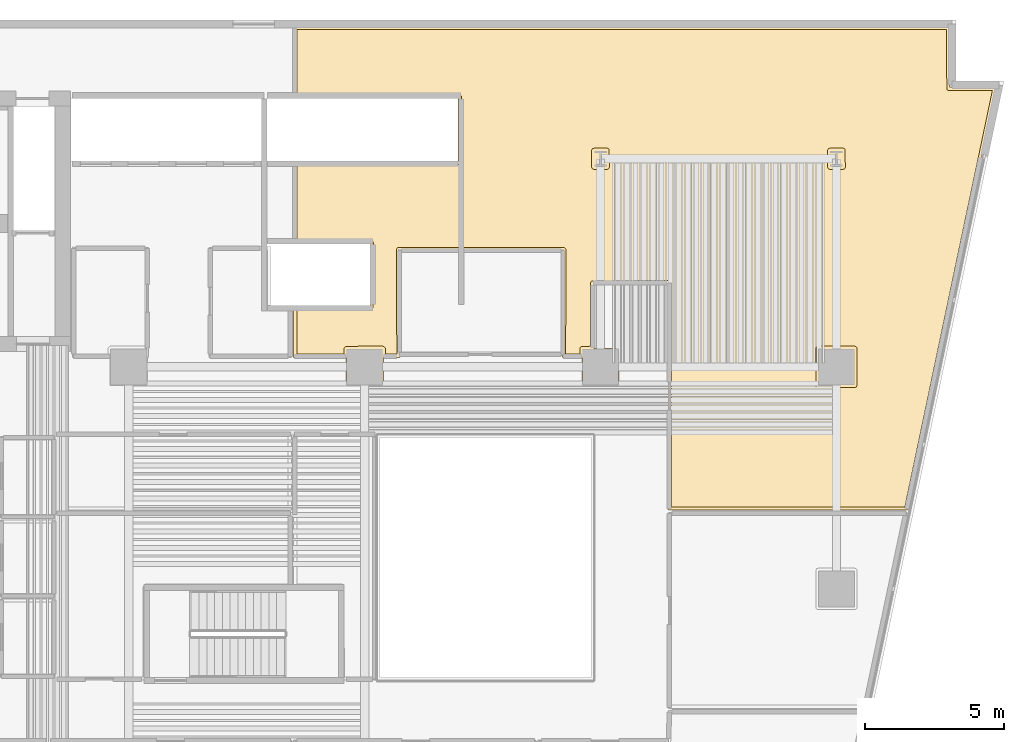
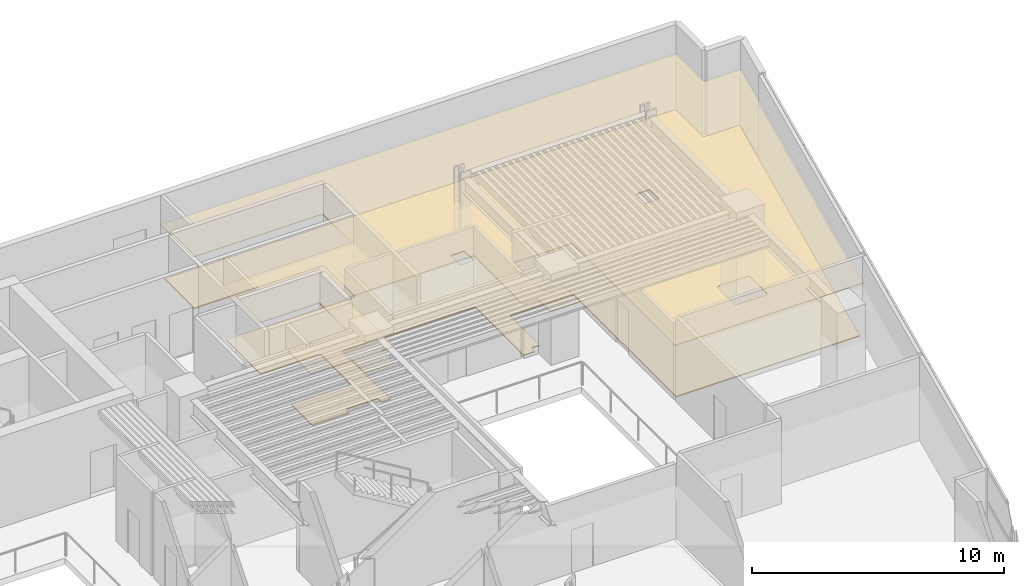
# One storey, part 11 of 11: 2 coverings.
"""IFC4 building model written with IfcOpenShell, lengths in metres."""

import ifcopenshell
import ifcopenshell.guid

model = None  # the IFC model being written
_history = None  # IfcOwnerHistory: only IFC2X3 demands one
_inside = {}  # id of a spatial element -> (the spatial element, [elements in it])
_under = {}  # id of a project, library or spatial element -> (it, [spatial elements below it])
_declared = {}  # id of a project -> (the project, [libraries it declares])
_typed = {}  # id of a type object -> (the type object, [elements of that type])
_made_of = {}  # id of a material, layer set ... -> (it, [elements and type objects made of it])


def new_model(schema):
    """Start an empty IFC model of exactly this schema.

    Asked for "IFC4X3", IfcOpenShell would pick the latest addendum, in which some entities
    have other attributes; the version numbers below select the first issue.
    IFC2X3 requires an IfcOwnerHistory on every rooted entity: one is made here for all.
    """
    global model, _history
    if schema == "IFC4X3":
        model = ifcopenshell.file(schema_version=(4, 3, 0, 0))
    else:
        model = ifcopenshell.file(schema=schema)
    _inside.clear()
    _under.clear()
    _declared.clear()
    _typed.clear()
    _made_of.clear()
    _history = None
    if model.schema == "IFC2X3":
        org = make("IfcOrganization", Name="unknown")
        user = make(
            "IfcPersonAndOrganization",
            ThePerson=make("IfcPerson", FamilyName="unknown"),
            TheOrganization=org,
        )
        app = make(
            "IfcApplication",
            ApplicationDeveloper=org,
            Version="unknown",
            ApplicationFullName="unknown",
            ApplicationIdentifier="unknown",
        )
        _history = make(
            "IfcOwnerHistory",
            OwningUser=user,
            OwningApplication=app,
            ChangeAction="ADDED",
            CreationDate=0,
        )
    return model


def make(cls, **values):
    """One entity of the class cls with the attributes given. An attribute that is None is left unset."""
    return model.create_entity(
        cls, **{name: value for name, value in values.items() if value is not None}
    )


def rooted(cls, **values):
    """An entity with a GlobalId (a new one), such as an element, a storey or a relation."""
    return make(cls, GlobalId=ifcopenshell.guid.new(), OwnerHistory=_history, **values)


def si_unit(unit_type, name, prefix=None):
    """IfcSIUnit, for example si_unit("LENGTHUNIT", "METRE", prefix="MILLI")."""
    return make("IfcSIUnit", UnitType=unit_type, Prefix=prefix, Name=name)


def assignment(units):
    """IfcUnitAssignment: the units of a project."""
    return None if units is None else make("IfcUnitAssignment", Units=units)


def point(xyz):
    """IfcCartesianPoint."""
    return None if xyz is None else make("IfcCartesianPoint", Coordinates=xyz)


def direction(xyz):
    """IfcDirection."""
    return None if xyz is None else make("IfcDirection", DirectionRatios=xyz)


def frame(location, z_axis=None, x_axis=None):
    """IfcAxis2Placement3D, a coordinate frame: its origin and axes. An axis left out is left unset."""
    return make(
        "IfcAxis2Placement3D",
        Location=point(location),
        Axis=direction(z_axis),
        RefDirection=direction(x_axis),
    )


def origin():
    """The frame at (0, 0, 0) with its axes left unset."""
    return frame((0.0, 0.0, 0.0))


def place(relative_to, where):
    """IfcLocalPlacement: puts the frame where relative to a parent placement (None: the world)."""
    return make(
        "IfcLocalPlacement", PlacementRelTo=relative_to, RelativePlacement=where
    )


def context(
    kind, dimensions, precision=None, world=None, true_north=None, identifier=None
):
    """IfcGeometricRepresentationContext, for example the 3D "Model" context."""
    return make(
        "IfcGeometricRepresentationContext",
        ContextIdentifier=identifier,
        ContextType=kind,
        CoordinateSpaceDimension=dimensions,
        Precision=precision,
        WorldCoordinateSystem=world,
        TrueNorth=true_north,
    )


def subcontext(parent, identifier, kind, view, scale=None):
    """IfcGeometricRepresentationSubContext, for example "Body" below "Model"."""
    return make(
        "IfcGeometricRepresentationSubContext",
        ContextIdentifier=identifier,
        ContextType=kind,
        ParentContext=parent,
        TargetScale=scale,
        TargetView=view,
    )


def project(units=None, contexts=None):
    """IfcProject with its units and contexts."""
    return rooted(
        "IfcProject",
        Name="project",
        RepresentationContexts=contexts,
        UnitsInContext=assignment(units),
    )


def spatial(cls, under=None, at=None, **own):
    """A site, building, storey or space (cls), placed at a placement, below another one or the project."""
    s = rooted(cls, ObjectPlacement=at, **own)
    if under is not None:
        _under.setdefault(under.id(), (under, []))[1].append(s)
    return s


def polyline(points):
    """IfcPolyline through the points."""
    return make("IfcPolyline", Points=[point(p) for p in points])


def outline(outer, holes=None, kind="AREA"):
    """IfcArbitraryClosedProfileDef: a profile drawn as a closed curve; with holes, ...WithVoids."""
    if holes is None:
        return make("IfcArbitraryClosedProfileDef", ProfileType=kind, OuterCurve=outer)
    return make(
        "IfcArbitraryProfileDefWithVoids",
        ProfileType=kind,
        OuterCurve=outer,
        InnerCurves=holes,
    )


def extrude(swept, where, along, depth):
    """IfcExtrudedAreaSolid: the profile swept, set in the frame where, extruded along a direction by depth."""
    return make(
        "IfcExtrudedAreaSolid",
        SweptArea=swept,
        Position=where,
        ExtrudedDirection=direction(along),
        Depth=depth,
    )


def shape(context_of_items, identifier, shape_type, items):
    """IfcShapeRepresentation: the items that make up one representation, for example the "Body"."""
    return make(
        "IfcShapeRepresentation",
        ContextOfItems=context_of_items,
        RepresentationIdentifier=identifier,
        RepresentationType=shape_type,
        Items=items,
    )


def material(Name=None, Category=None):
    """IfcMaterial."""
    return make("IfcMaterial", Name=Name, Category=Category)


def layer(
    of_material, thickness, ventilated=None, Name=None, Category=None, Priority=None
):
    """IfcMaterialLayer: one layer of a wall or slab, of a material (None: an air gap)."""
    return make(
        "IfcMaterialLayer",
        Material=of_material,
        LayerThickness=thickness,
        IsVentilated=ventilated,
        Name=Name,
        Category=Category,
        Priority=Priority,
    )


def layer_set(layers, Name=None):
    """IfcMaterialLayerSet."""
    return make("IfcMaterialLayerSet", MaterialLayers=layers, LayerSetName=Name)


def made_of(thing, what):
    """Note that an element or type object is made of a material, layer set ...; save() writes the relation."""
    if what is not None:
        _made_of.setdefault(what.id(), (what, []))[1].append(thing)
    return thing


def type_object(cls, material=None, **own):
    """A type object (cls), such as IfcWallType, which elements share."""
    return made_of(rooted(cls, **own), material)


def element(
    cls,
    number,
    at=None,
    inside=None,
    cuts=None,
    type_object=None,
    material=None,
    context=None,
    identifier="Body",
    shape_type=None,
    held_by="IfcProductDefinitionShape",
    body=None,
    shapes=None,
    **own,
):
    """One element of the class cls, such as IfcWall. Its Tag is "e" and its number.

    at: its placement. inside: the storey or other place that contains it. cuts: it is an
    opening in that element (IfcRelVoidsElement). A single representation is given by context,
    identifier, shape_type and body (its items); several are given by shapes. held_by: the class
    of the entity that holds the representations. save() writes the other relations.
    """
    e = rooted(cls, Tag="e%d" % number, ObjectPlacement=at, **own)
    if body is not None:
        shapes = [shape(context, identifier, shape_type, body)]
    if shapes is not None:
        e.Representation = make(held_by, Representations=shapes)
    if inside is not None:
        _inside.setdefault(inside.id(), (inside, []))[1].append(e)
    if cuts is not None:
        rooted(
            "IfcRelVoidsElement", RelatingBuildingElement=cuts, RelatedOpeningElement=e
        )
    if type_object is not None:
        _typed.setdefault(type_object.id(), (type_object, []))[1].append(e)
    return made_of(e, material)


def aggregate(whole, parts):
    """IfcRelAggregates: a whole, such as a stair, and the parts it consists of."""
    return rooted("IfcRelAggregates", RelatingObject=whole, RelatedObjects=parts)


def save(model, path):
    """Write the relations noted so far, then the file.

    IfcRelAggregates (storeys below a building ...), IfcRelContainedInSpatialStructure (elements
    in a storey), IfcRelDefinesByType, IfcRelAssociatesMaterial and IfcRelDeclares: one each for
    every whole, place, type object, material and project.
    """
    for whole, parts in _under.values():
        aggregate(whole, parts)
    for where, things in _inside.values():
        rooted(
            "IfcRelContainedInSpatialStructure",
            RelatedElements=things,
            RelatingStructure=where,
        )
    for kind, things in _typed.values():
        rooted("IfcRelDefinesByType", RelatedObjects=things, RelatingType=kind)
    for what, things in _made_of.values():
        rooted("IfcRelAssociatesMaterial", RelatedObjects=things, RelatingMaterial=what)
    for by, libraries in _declared.values():
        rooted("IfcRelDeclares", RelatingContext=by, RelatedDefinitions=libraries)
    model.write(path)


model = new_model("IFC4")

# Units and contexts
model_context = context("Model", 3, precision=1e-05, world=origin(), true_north=direction((0.0, 1.0)))
body_context = subcontext(model_context, "Body", "Model", "MODEL_VIEW")
ifc_project = project(units=[si_unit("LENGTHUNIT", "METRE"), si_unit("AREAUNIT", "SQUARE_METRE"), si_unit("VOLUMEUNIT", "CUBIC_METRE"), si_unit("PLANEANGLEUNIT", "RADIAN"), si_unit("MASSUNIT", "GRAM", prefix="KILO")], contexts=[model_context])

# Site, building, storey
site_placement = place(None, origin())
site = spatial("IfcSite", under=ifc_project, at=site_placement, CompositionType="ELEMENT")
building_placement = place(site_placement, origin())
building = spatial("IfcBuilding", under=site, at=building_placement, Name="Caeloran Harvest Quay", CompositionType="ELEMENT")
storey_placement = place(building_placement, frame((0.0, 0.0, 53.39990234375)))
storey = spatial("IfcBuildingStorey", under=building, at=storey_placement, Name="L12", CompositionType="ELEMENT", Elevation=53.39990234375)

# Coverings
ifc_material_1 = material(Name="Perforated Mineral-Fibre Acoustic Ceiling Tile", Category="ceiling")
ifc_layer_1 = layer(ifc_material_1, 0.0400390625, Name="Perforated Mineral-Fibre Acoustic Ceiling Tile")
ifc_layer_set_1 = layer_set([ifc_layer_1], Name="Perforated Mineral-Fibre Acoustic Ceiling Tile")
covering_type_1 = type_object("IfcCoveringType", Name="COV-CEILING-ACOUSTIC", PredefinedType="CEILING", material=ifc_layer_set_1)
covering_1_placement = place(storey_placement, frame((0.0, 0.0, 2.60009765625)))
element("IfcCovering", 1, at=covering_1_placement, inside=storey, type_object=covering_type_1, Name="Harvest Seminar Room 12 Acoustic Ceiling", PredefinedType="CEILING", context=body_context, shape_type="SweptSolid", body=[
    extrude(outline(polyline([(33.330078125, 31.340087890625), (31.43994140625, 31.340087890625), (31.43994140625, 33.2099609375), (34.18994140625, 33.2099609375), (34.18994140625, 35.43994140625), (31.43994140625, 35.43994140625), (31.43994140625, 38.409912109375), (37.3701171875, 38.409912109375), (37.3701171875, 40.68994140625), (31.43994140625, 40.68994140625), (31.43994140625, 43.280029296875), (55.080078125, 43.280029296875), (55.080078125, 41.080078125), (56.766845703125, 41.080078125), (53.565185546875, 25.840087890625), (44.93994140625, 25.840087890625), (44.93994140625, 33.989990234375), (42.260009765625, 33.989990234375), (42.260009765625, 31.669921875), (43.169921875, 31.669921875), (43.169921875, 30.330078125), (41.830078125, 30.330078125), (41.830078125, 31.340087890625), (41.119873046875, 31.340087890625), (41.139892578125, 35.18994140625), (35.26025390625, 35.18994140625), (35.2802734375, 31.340087890625), (34.669921875, 31.340087890625), (34.669921875, 30.330078125), (33.330078125, 30.330078125), (33.330078125, 31.340087890625)])), origin(), (0.0, 0.0, 1.0), 0.0400390625),
])
ifc_material_2 = material(Name="Calcium-Sulphate Raised Access Floor and Terrazzo Finish", Category="flooring")
ifc_layer_2 = layer(ifc_material_2, 0.050048828125, Name="Calcium-Sulphate Raised Access Floor and Terrazzo Finish")
ifc_layer_set_2 = layer_set([ifc_layer_2], Name="Calcium-Sulphate Raised Access Floor and Terrazzo Finish")
covering_type_2 = type_object("IfcCoveringType", Name="COV-FLOOR-RAISED", PredefinedType="FLOORING", material=ifc_layer_set_2)
covering_2_placement = place(storey_placement, origin())
element("IfcCovering", 2, at=covering_2_placement, inside=storey, type_object=covering_type_2, Name="Harvest Seminar Room 12 Raised Finish Flooring", PredefinedType="FLOORING", context=body_context, shape_type="SweptSolid", body=[
    extrude(outline(polyline([(34.31005859375, 35.47998046875), (34.28662109375, 35.53662109375), (34.22998046875, 35.56005859375), (31.56005859375, 35.56005859375), (31.56005859375, 38.2900390625), (37.440673828125, 38.296142578125), (37.489990234375, 38.3701171875), (37.48388671875, 40.760498046875), (37.409912109375, 40.81005859375), (31.56005859375, 40.81005859375), (31.56005859375, 43.159912109375), (54.9599609375, 43.159912109375), (54.978271484375, 40.9892578125), (55.0400390625, 40.9599609375), (56.618896484375, 40.9599609375), (53.468017578125, 25.9599609375), (45.06005859375, 25.9599609375), (45.053955078125, 34.060546875), (44.97998046875, 34.110107421875), (42.175537109375, 34.096435546875), (42.139892578125, 34.030029296875), (42.139892578125, 31.7451171875), (41.79052734375, 31.7314453125), (41.75537109375, 31.6728515625), (41.7548828125, 31.4599609375), (41.240478515625, 31.4599609375), (41.260009765625, 35.2294921875), (41.19580078125, 35.30859375), (35.189208984375, 35.303955078125), (35.139892578125, 35.2294921875), (35.15966796875, 31.4599609375), (34.7451171875, 31.4599609375), (34.74169921875, 31.688232421875), (34.6650390625, 31.7451171875), (33.3193359375, 31.743408203125), (33.256591796875, 31.6806640625), (33.2548828125, 31.4599609375), (31.56005859375, 31.4599609375), (31.56005859375, 33.090087890625), (34.22998046875, 33.090087890625), (34.29638671875, 33.12548828125), (34.31005859375, 35.47998046875)]), holes=[polyline([(51.7451171875, 31.6650390625), (51.7216796875, 31.7216796875), (51.6650390625, 31.7451171875), (50.3349609375, 31.7451171875), (50.2783203125, 31.7216796875), (50.2548828125, 31.6650390625), (50.2548828125, 30.3349609375), (50.2783203125, 30.2783203125), (50.3349609375, 30.2548828125), (51.6650390625, 30.2548828125), (51.7216796875, 30.2783203125), (51.7451171875, 30.3349609375), (51.7451171875, 31.6650390625)]), polyline([(51.322021484375, 38.200439453125), (51.3037109375, 38.850341796875), (51.249755859375, 38.879150390625), (50.758056640625, 38.87939453125), (50.701416015625, 38.856201171875), (50.677978515625, 38.799560546875), (50.677978515625, 38.200439453125), (50.701416015625, 38.143798828125), (50.758056640625, 38.12060546875), (51.241943359375, 38.12060546875), (51.298583984375, 38.143798828125), (51.322021484375, 38.200439453125)]), polyline([(42.822021484375, 38.200439453125), (42.8037109375, 38.850341796875), (42.749755859375, 38.879150390625), (42.258056640625, 38.87939453125), (42.201416015625, 38.856201171875), (42.177978515625, 38.799560546875), (42.177978515625, 38.200439453125), (42.201416015625, 38.143798828125), (42.258056640625, 38.12060546875), (42.741943359375, 38.12060546875), (42.798583984375, 38.143798828125), (42.822021484375, 38.200439453125)])]), origin(), (0.0, 0.0, 1.0), 0.050048828125),
])

save(model, "model.ifc")
